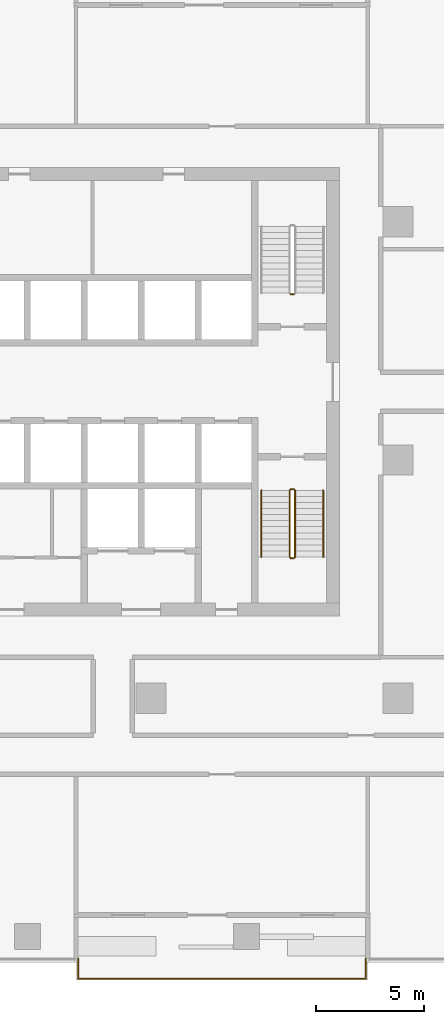
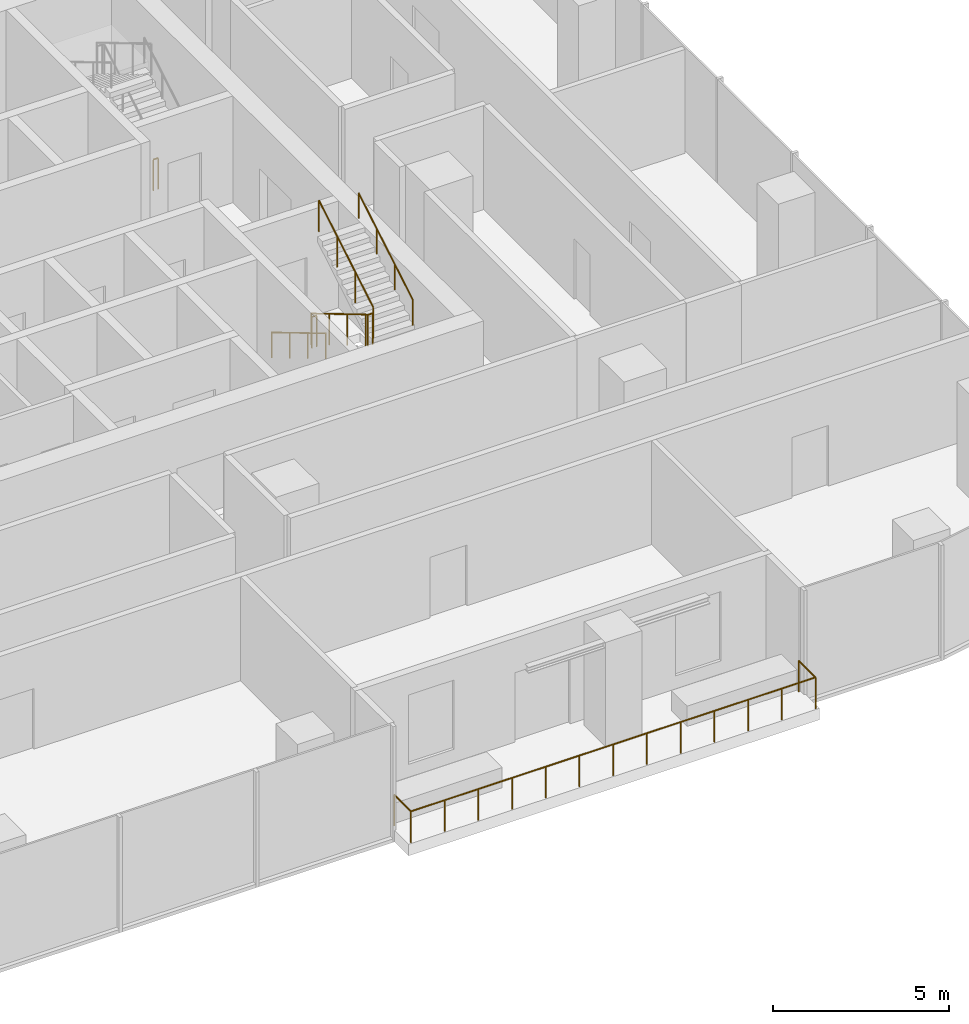
# One storey, part 13 of 14: 7 railings.
"""IFC4 building model written with IfcOpenShell, lengths in metres."""

import ifcopenshell
import ifcopenshell.guid

model = None  # the IFC model being written
_history = None  # IfcOwnerHistory: only IFC2X3 demands one
_inside = {}  # id of a spatial element -> (the spatial element, [elements in it])
_under = {}  # id of a project, library or spatial element -> (it, [spatial elements below it])
_declared = {}  # id of a project -> (the project, [libraries it declares])
_typed = {}  # id of a type object -> (the type object, [elements of that type])
_made_of = {}  # id of a material, layer set ... -> (it, [elements and type objects made of it])


def new_model(schema):
    """Start an empty IFC model of exactly this schema.

    Asked for "IFC4X3", IfcOpenShell would pick the latest addendum, in which some entities
    have other attributes; the version numbers below select the first issue.
    IFC2X3 requires an IfcOwnerHistory on every rooted entity: one is made here for all.
    """
    global model, _history
    if schema == "IFC4X3":
        model = ifcopenshell.file(schema_version=(4, 3, 0, 0))
    else:
        model = ifcopenshell.file(schema=schema)
    _inside.clear()
    _under.clear()
    _declared.clear()
    _typed.clear()
    _made_of.clear()
    _history = None
    if model.schema == "IFC2X3":
        org = make("IfcOrganization", Name="unknown")
        user = make(
            "IfcPersonAndOrganization",
            ThePerson=make("IfcPerson", FamilyName="unknown"),
            TheOrganization=org,
        )
        app = make(
            "IfcApplication",
            ApplicationDeveloper=org,
            Version="unknown",
            ApplicationFullName="unknown",
            ApplicationIdentifier="unknown",
        )
        _history = make(
            "IfcOwnerHistory",
            OwningUser=user,
            OwningApplication=app,
            ChangeAction="ADDED",
            CreationDate=0,
        )
    return model


def make(cls, **values):
    """One entity of the class cls with the attributes given. An attribute that is None is left unset."""
    return model.create_entity(
        cls, **{name: value for name, value in values.items() if value is not None}
    )


def rooted(cls, **values):
    """An entity with a GlobalId (a new one), such as an element, a storey or a relation."""
    return make(cls, GlobalId=ifcopenshell.guid.new(), OwnerHistory=_history, **values)


def si_unit(unit_type, name, prefix=None):
    """IfcSIUnit, for example si_unit("LENGTHUNIT", "METRE", prefix="MILLI")."""
    return make("IfcSIUnit", UnitType=unit_type, Prefix=prefix, Name=name)


def assignment(units):
    """IfcUnitAssignment: the units of a project."""
    return None if units is None else make("IfcUnitAssignment", Units=units)


def point(xyz):
    """IfcCartesianPoint."""
    return None if xyz is None else make("IfcCartesianPoint", Coordinates=xyz)


def direction(xyz):
    """IfcDirection."""
    return None if xyz is None else make("IfcDirection", DirectionRatios=xyz)


def frame(location, z_axis=None, x_axis=None):
    """IfcAxis2Placement3D, a coordinate frame: its origin and axes. An axis left out is left unset."""
    return make(
        "IfcAxis2Placement3D",
        Location=point(location),
        Axis=direction(z_axis),
        RefDirection=direction(x_axis),
    )


def frame_2d(location, x_axis=None):
    """IfcAxis2Placement2D, a coordinate frame in the plane: its origin and x axis."""
    return make(
        "IfcAxis2Placement2D", Location=point(location), RefDirection=direction(x_axis)
    )


def origin():
    """The frame at (0, 0, 0) with its axes left unset."""
    return frame((0.0, 0.0, 0.0))


def origin_2d():
    """The frame at (0, 0) in the plane with its x axis left unset."""
    return frame_2d((0.0, 0.0))


def place(relative_to, where):
    """IfcLocalPlacement: puts the frame where relative to a parent placement (None: the world)."""
    return make(
        "IfcLocalPlacement", PlacementRelTo=relative_to, RelativePlacement=where
    )


def context(
    kind, dimensions, precision=None, world=None, true_north=None, identifier=None
):
    """IfcGeometricRepresentationContext, for example the 3D "Model" context."""
    return make(
        "IfcGeometricRepresentationContext",
        ContextIdentifier=identifier,
        ContextType=kind,
        CoordinateSpaceDimension=dimensions,
        Precision=precision,
        WorldCoordinateSystem=world,
        TrueNorth=true_north,
    )


def subcontext(parent, identifier, kind, view, scale=None):
    """IfcGeometricRepresentationSubContext, for example "Body" below "Model"."""
    return make(
        "IfcGeometricRepresentationSubContext",
        ContextIdentifier=identifier,
        ContextType=kind,
        ParentContext=parent,
        TargetScale=scale,
        TargetView=view,
    )


def project(units=None, contexts=None):
    """IfcProject with its units and contexts."""
    return rooted(
        "IfcProject",
        Name="project",
        RepresentationContexts=contexts,
        UnitsInContext=assignment(units),
    )


def spatial(cls, under=None, at=None, **own):
    """A site, building, storey or space (cls), placed at a placement, below another one or the project."""
    s = rooted(cls, ObjectPlacement=at, **own)
    if under is not None:
        _under.setdefault(under.id(), (under, []))[1].append(s)
    return s


def profile(cls, at=None, kind="AREA", **sizes):
    """A parametric profile (cls). Its sizes go by their IFC names, for example OverallWidth=200.0."""
    return make(cls, ProfileType=kind, Position=at, **sizes)


def circle(**sizes):
    """IfcCircleProfileDef."""
    return profile("IfcCircleProfileDef", **sizes)


def extrude(swept, where, along, depth):
    """IfcExtrudedAreaSolid: the profile swept, set in the frame where, extruded along a direction by depth."""
    return make(
        "IfcExtrudedAreaSolid",
        SweptArea=swept,
        Position=where,
        ExtrudedDirection=direction(along),
        Depth=depth,
    )


def shape(context_of_items, identifier, shape_type, items):
    """IfcShapeRepresentation: the items that make up one representation, for example the "Body"."""
    return make(
        "IfcShapeRepresentation",
        ContextOfItems=context_of_items,
        RepresentationIdentifier=identifier,
        RepresentationType=shape_type,
        Items=items,
    )


def material(Name=None, Category=None):
    """IfcMaterial."""
    return make("IfcMaterial", Name=Name, Category=Category)


def made_of(thing, what):
    """Note that an element or type object is made of a material, layer set ...; save() writes the relation."""
    if what is not None:
        _made_of.setdefault(what.id(), (what, []))[1].append(thing)
    return thing


def type_object(cls, material=None, **own):
    """A type object (cls), such as IfcWallType, which elements share."""
    return made_of(rooted(cls, **own), material)


def element(
    cls,
    number,
    at=None,
    inside=None,
    cuts=None,
    type_object=None,
    material=None,
    context=None,
    identifier="Body",
    shape_type=None,
    held_by="IfcProductDefinitionShape",
    body=None,
    shapes=None,
    **own,
):
    """One element of the class cls, such as IfcWall. Its Tag is "e" and its number.

    at: its placement. inside: the storey or other place that contains it. cuts: it is an
    opening in that element (IfcRelVoidsElement). A single representation is given by context,
    identifier, shape_type and body (its items); several are given by shapes. held_by: the class
    of the entity that holds the representations. save() writes the other relations.
    """
    e = rooted(cls, Tag="e%d" % number, ObjectPlacement=at, **own)
    if body is not None:
        shapes = [shape(context, identifier, shape_type, body)]
    if shapes is not None:
        e.Representation = make(held_by, Representations=shapes)
    if inside is not None:
        _inside.setdefault(inside.id(), (inside, []))[1].append(e)
    if cuts is not None:
        rooted(
            "IfcRelVoidsElement", RelatingBuildingElement=cuts, RelatedOpeningElement=e
        )
    if type_object is not None:
        _typed.setdefault(type_object.id(), (type_object, []))[1].append(e)
    return made_of(e, material)


def aggregate(whole, parts):
    """IfcRelAggregates: a whole, such as a stair, and the parts it consists of."""
    return rooted("IfcRelAggregates", RelatingObject=whole, RelatedObjects=parts)


def save(model, path):
    """Write the relations noted so far, then the file.

    IfcRelAggregates (storeys below a building ...), IfcRelContainedInSpatialStructure (elements
    in a storey), IfcRelDefinesByType, IfcRelAssociatesMaterial and IfcRelDeclares: one each for
    every whole, place, type object, material and project.
    """
    for whole, parts in _under.values():
        aggregate(whole, parts)
    for where, things in _inside.values():
        rooted(
            "IfcRelContainedInSpatialStructure",
            RelatedElements=things,
            RelatingStructure=where,
        )
    for kind, things in _typed.values():
        rooted("IfcRelDefinesByType", RelatedObjects=things, RelatingType=kind)
    for what, things in _made_of.values():
        rooted("IfcRelAssociatesMaterial", RelatedObjects=things, RelatingMaterial=what)
    for by, libraries in _declared.values():
        rooted("IfcRelDeclares", RelatingContext=by, RelatedDefinitions=libraries)
    model.write(path)


model = new_model("IFC4")

# Units and contexts
model_context = context("Model", 3, precision=1e-05, world=origin(), true_north=direction((0.0, 1.0)))
body_context = subcontext(model_context, "Body", "Model", "MODEL_VIEW")
ifc_project = project(units=[si_unit("LENGTHUNIT", "METRE"), si_unit("AREAUNIT", "SQUARE_METRE"), si_unit("VOLUMEUNIT", "CUBIC_METRE"), si_unit("PLANEANGLEUNIT", "RADIAN"), si_unit("MASSUNIT", "GRAM", prefix="KILO")], contexts=[model_context])

# Site, building, storey
site_placement = place(None, origin())
site = spatial("IfcSite", under=ifc_project, at=site_placement, CompositionType="ELEMENT")
building_placement = place(site_placement, origin())
building = spatial("IfcBuilding", under=site, at=building_placement, Name="Mopane Tessera Tower", CompositionType="ELEMENT")
storey_placement = place(building_placement, frame((0.0, 0.0, 197.0)))
storey = spatial("IfcBuildingStorey", under=building, at=storey_placement, Name="L41", CompositionType="ELEMENT", Elevation=197.0)

# Railings
ifc_material_1 = material(Name="Powder-coated steel balustrade", Category="steel")
railing_type_1 = type_object("IfcRailingType", Name="Escape stair guard 1100 mm", PredefinedType="GUARDRAIL", material=ifc_material_1)
railing_1_placement = place(storey_placement, frame((12.10009765625, -1.39990234375, 0.166748046875)))
element("IfcRailing", 1, at=railing_1_placement, inside=storey, type_object=railing_type_1, Name="L41 ST3 stair guard 1", PredefinedType="GUARDRAIL", context=body_context, shape_type="SweptSolid", body=[
    extrude(circle(Radius=0.02392578125, at=origin_2d()), frame((0.0, 0.0, 1.076171875), z_axis=(0.0, -0.859308565015, 0.511457515432), x_axis=(1.0, 0.0, 0.0)), (0.0, 0.0, 1.0), 3.58447265625),
    extrude(circle(Radius=0.02392578125, at=origin_2d()), frame((0.0, -3.080078125, 2.9091796875), z_axis=(0.705375805398, -0.708833529934, 0.0), x_axis=(0.708833529934, 0.705375805398, 0.0)), (0.0, 0.0, 1.0), 0.070556640625),
    extrude(circle(Radius=0.02392578125, at=origin_2d()), frame((0.0498046875, -3.130126953125, 2.9091796875), z_axis=(1.0, 0.0, 0.0), x_axis=(0.0, 1.0, 0.0)), (0.0, 0.0, 1.0), 0.150146484375),
    extrude(circle(Radius=0.02099609375, at=origin_2d()), origin(), (0.0, 0.0, 1.0), 1.052001953125),
    extrude(circle(Radius=0.02099609375, at=origin_2d()), frame((0.0, -1.026611328125, 0.611083984375)), (0.0, 0.0, 1.0), 1.052001953125),
    extrude(circle(Radius=0.02099609375, at=origin_2d()), frame((0.0, -2.053466796875, 1.22216796875)), (0.0, 0.0, 1.0), 1.052001953125),
    extrude(circle(Radius=0.02099609375, at=origin_2d()), frame((0.0, -3.080078125, 1.833251953125)), (0.0, 0.0, 1.0), 1.052001953125),
    extrude(circle(Radius=0.02099609375, at=origin_2d()), frame((0.0498046875, -3.130126953125, 1.833251953125)), (0.0, 0.0, 1.0), 1.052001953125),
    extrude(circle(Radius=0.02099609375, at=origin_2d()), frame((0.199951171875, -3.130126953125, 1.833251953125)), (0.0, 0.0, 1.0), 1.052001953125),
])
railing_2_placement = place(storey_placement, frame((12.35009765625, -4.47998046875, 2.166748046875)))
element("IfcRailing", 2, at=railing_2_placement, inside=storey, type_object=railing_type_1, Name="L41 ST3 stair guard 2", PredefinedType="GUARDRAIL", context=body_context, shape_type="SweptSolid", body=[
    extrude(circle(Radius=0.02392578125, at=origin_2d()), frame((0.0, 0.0, 1.076171875), z_axis=(0.0, 0.859308565015, 0.511457515432), x_axis=(-1.0, 0.0, 0.0)), (0.0, 0.0, 1.0), 3.58447265625),
    extrude(circle(Radius=0.02099609375, at=origin_2d()), origin(), (0.0, 0.0, 1.0), 1.052001953125),
    extrude(circle(Radius=0.02099609375, at=origin_2d()), frame((0.0, 1.026611328125, 0.611083984375)), (0.0, 0.0, 1.0), 1.052001953125),
    extrude(circle(Radius=0.02099609375, at=origin_2d()), frame((0.0, 2.053466796875, 1.22216796875)), (0.0, 0.0, 1.0), 1.052001953125),
    extrude(circle(Radius=0.02099609375, at=origin_2d()), frame((0.0, 3.080078125, 1.833251953125)), (0.0, 0.0, 1.0), 1.052001953125),
])
railing_3_placement = place(storey_placement, frame((12.14990234375, -1.35009765625, 0.0)))
element("IfcRailing", 3, at=railing_3_placement, inside=storey, type_object=railing_type_1, Name="L41 ST3 stair guard 3", PredefinedType="GUARDRAIL", context=body_context, shape_type="SweptSolid", body=[
    extrude(circle(Radius=0.02392578125, at=origin_2d()), frame((0.0, 0.0, 1.076171875), z_axis=(1.0, 0.0, 0.0), x_axis=(0.0, 1.0, 0.0)), (0.0, 0.0, 1.0), 0.150146484375),
    extrude(circle(Radius=0.02099609375, at=origin_2d()), origin(), (0.0, 0.0, 1.0), 1.052001953125),
    extrude(circle(Radius=0.02099609375, at=origin_2d()), frame((0.150146484375, 0.0, 0.0)), (0.0, 0.0, 1.0), 1.052001953125),
])
railing_4_placement = place(storey_placement, frame((12.300048828125, 7.64990234375, 0.0)))
element("IfcRailing", 4, at=railing_4_placement, inside=storey, type_object=railing_type_1, Name="L41 ST4 stair guard 3", PredefinedType="GUARDRAIL", context=body_context, shape_type="SweptSolid", body=[
    extrude(circle(Radius=0.02392578125, at=origin_2d()), frame((0.0, 0.0, 1.076171875), z_axis=(-1.0, 0.0, 0.0), x_axis=(0.0, -1.0, 0.0)), (0.0, 0.0, 1.0), 0.150146484375),
    extrude(circle(Radius=0.02099609375, at=origin_2d()), origin(), (0.0, 0.0, 1.0), 1.052001953125),
    extrude(circle(Radius=0.02099609375, at=origin_2d()), frame((-0.150146484375, 0.0, 0.0)), (0.0, 0.0, 1.0), 1.052001953125),
])
ifc_material_2 = material(Name="Powder-coated steel balustrade", Category="steel")
railing_type_2 = type_object("IfcRailingType", Name="Escape stair handrail 900 mm", PredefinedType="HANDRAIL", material=ifc_material_2)
railing_5_placement = place(storey_placement, frame((10.800048828125, -1.39990234375, 0.166748046875)))
element("IfcRailing", 5, at=railing_5_placement, inside=storey, type_object=railing_type_2, Name="L41 ST3 stair handrail 1", PredefinedType="HANDRAIL", context=body_context, shape_type="SweptSolid", body=[
    extrude(circle(Radius=0.02392578125, at=origin_2d()), frame((0.0, 0.0, 0.8759765625), z_axis=(0.0, -0.859308565015, 0.511457515432), x_axis=(1.0, 0.0, 0.0)), (0.0, 0.0, 1.0), 3.58447265625),
    extrude(circle(Radius=0.02099609375, at=origin_2d()), origin(), (0.0, 0.0, 1.0), 0.851806640625),
    extrude(circle(Radius=0.02099609375, at=origin_2d()), frame((0.0, -1.026611328125, 0.611083984375)), (0.0, 0.0, 1.0), 0.851806640625),
    extrude(circle(Radius=0.02099609375, at=origin_2d()), frame((0.0, -2.053466796875, 1.22216796875)), (0.0, 0.0, 1.0), 0.851806640625),
    extrude(circle(Radius=0.02099609375, at=origin_2d()), frame((0.0, -3.080078125, 1.833251953125)), (0.0, 0.0, 1.0), 0.851806640625),
])
railing_6_placement = place(storey_placement, frame((13.64990234375, -4.47998046875, 2.166748046875)))
element("IfcRailing", 6, at=railing_6_placement, inside=storey, type_object=railing_type_2, Name="L41 ST3 stair handrail 2", PredefinedType="HANDRAIL", context=body_context, shape_type="SweptSolid", body=[
    extrude(circle(Radius=0.02392578125, at=origin_2d()), frame((0.0, 0.0, 0.8759765625), z_axis=(0.0, 0.859308565015, 0.511457515432), x_axis=(-1.0, 0.0, 0.0)), (0.0, 0.0, 1.0), 3.58447265625),
    extrude(circle(Radius=0.02099609375, at=origin_2d()), origin(), (0.0, 0.0, 1.0), 0.851806640625),
    extrude(circle(Radius=0.02099609375, at=origin_2d()), frame((0.0, 1.026611328125, 0.611083984375)), (0.0, 0.0, 1.0), 0.851806640625),
    extrude(circle(Radius=0.02099609375, at=origin_2d()), frame((0.0, 2.053466796875, 1.22216796875)), (0.0, 0.0, 1.0), 0.851806640625),
    extrude(circle(Radius=0.02099609375, at=origin_2d()), frame((0.0, 3.080078125, 1.833251953125)), (0.0, 0.0, 1.0), 0.851806640625),
])
ifc_material_3 = material(Name="Stainless steel S316", Category="steel")
railing_type_3 = type_object("IfcRailingType", Name="Terrace guard 1100", PredefinedType="GUARDRAIL", material=ifc_material_3)
railing_7_placement = place(storey_placement, frame((2.344482421875, -23.0, 0.0)))
element("IfcRailing", 7, at=railing_7_placement, inside=storey, type_object=railing_type_3, Name="e:nw:L41:N2:guard", PredefinedType="GUARDRAIL", context=body_context, shape_type="SweptSolid", body=[
    extrude(circle(Radius=0.02392578125, at=origin_2d()), frame((0.0, 0.0, 1.076171875), z_axis=(0.0, -1.0, 0.0), x_axis=(1.0, 0.0, 0.0)), (0.0, 0.0, 1.0), 0.949951171875),
    extrude(circle(Radius=0.02392578125, at=origin_2d()), frame((0.0, -0.949951171875, 1.076171875), z_axis=(1.0, 0.0, 0.0), x_axis=(0.0, 1.0, 0.0)), (0.0, 0.0, 1.0), 13.2666015625),
    extrude(circle(Radius=0.02392578125, at=origin_2d()), frame((13.2666015625, -0.949951171875, 1.076171875), z_axis=(0.0, 1.0, 0.0), x_axis=(-1.0, 0.0, 0.0)), (0.0, 0.0, 1.0), 0.949951171875),
    extrude(circle(Radius=0.02099609375, at=origin_2d()), origin(), (0.0, 0.0, 1.0), 1.052001953125),
    extrude(circle(Radius=0.02099609375, at=origin_2d()), frame((0.0, -0.949951171875, 0.0)), (0.0, 0.0, 1.0), 1.052001953125),
    extrude(circle(Radius=0.02099609375, at=origin_2d()), frame((1.10546875, -0.949951171875, 0.0)), (0.0, 0.0, 1.0), 1.052001953125),
    extrude(circle(Radius=0.02099609375, at=origin_2d()), frame((2.211181640625, -0.949951171875, 0.0)), (0.0, 0.0, 1.0), 1.052001953125),
    extrude(circle(Radius=0.02099609375, at=origin_2d()), frame((3.316650390625, -0.949951171875, 0.0)), (0.0, 0.0, 1.0), 1.052001953125),
    extrude(circle(Radius=0.02099609375, at=origin_2d()), frame((4.422119140625, -0.949951171875, 0.0)), (0.0, 0.0, 1.0), 1.052001953125),
    extrude(circle(Radius=0.02099609375, at=origin_2d()), frame((5.52783203125, -0.949951171875, 0.0)), (0.0, 0.0, 1.0), 1.052001953125),
    extrude(circle(Radius=0.02099609375, at=origin_2d()), frame((6.63330078125, -0.949951171875, 0.0)), (0.0, 0.0, 1.0), 1.052001953125),
    extrude(circle(Radius=0.02099609375, at=origin_2d()), frame((7.73876953125, -0.949951171875, 0.0)), (0.0, 0.0, 1.0), 1.052001953125),
    extrude(circle(Radius=0.02099609375, at=origin_2d()), frame((8.844482421875, -0.949951171875, 0.0)), (0.0, 0.0, 1.0), 1.052001953125),
    extrude(circle(Radius=0.02099609375, at=origin_2d()), frame((9.949951171875, -0.949951171875, 0.0)), (0.0, 0.0, 1.0), 1.052001953125),
    extrude(circle(Radius=0.02099609375, at=origin_2d()), frame((11.055419921875, -0.949951171875, 0.0)), (0.0, 0.0, 1.0), 1.052001953125),
    extrude(circle(Radius=0.02099609375, at=origin_2d()), frame((12.1611328125, -0.949951171875, 0.0)), (0.0, 0.0, 1.0), 1.052001953125),
    extrude(circle(Radius=0.02099609375, at=origin_2d()), frame((13.2666015625, -0.949951171875, 0.0)), (0.0, 0.0, 1.0), 1.052001953125),
    extrude(circle(Radius=0.02099609375, at=origin_2d()), frame((13.2666015625, 0.0, 0.0)), (0.0, 0.0, 1.0), 1.052001953125),
])

save(model, "model.ifc")
